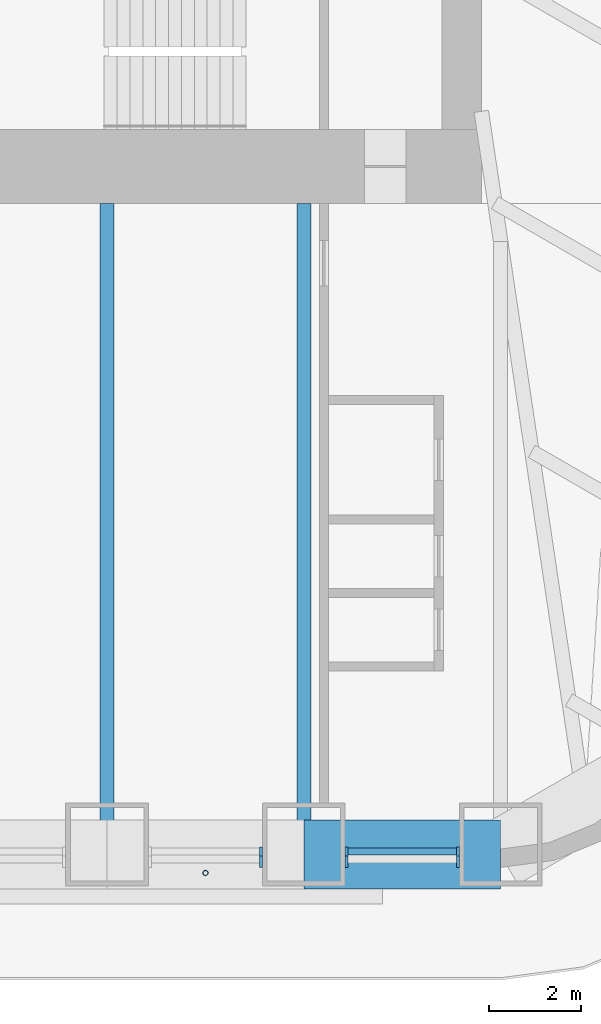
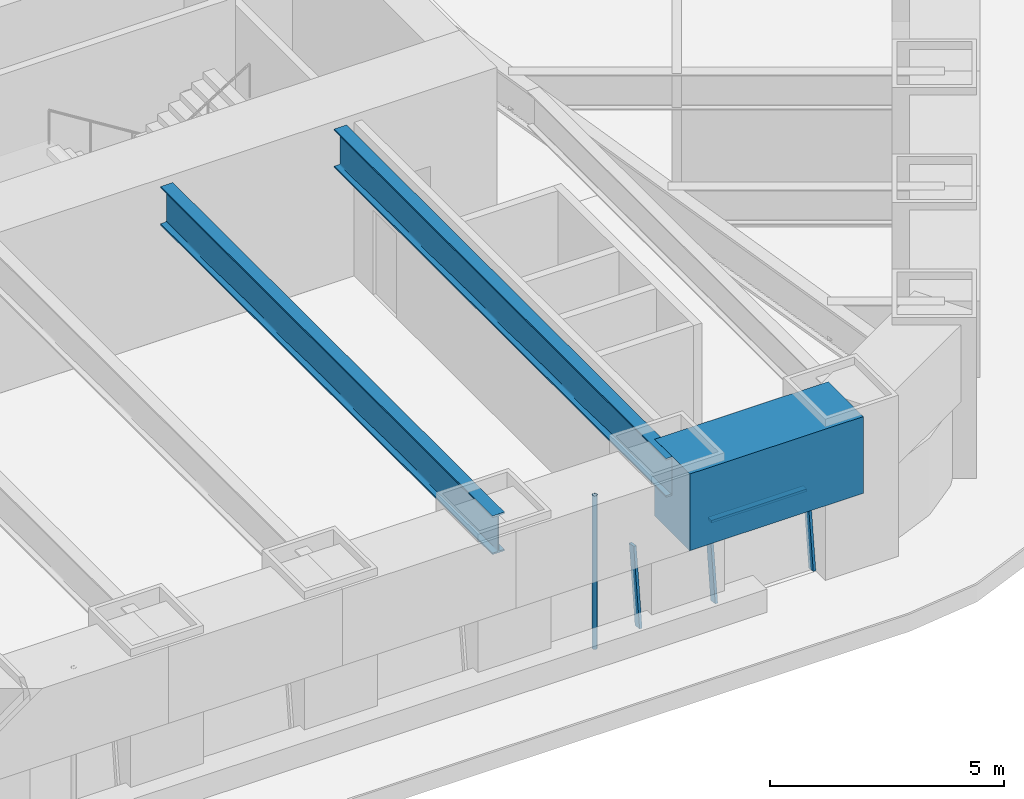
# One storey, part 4 of 18: 5 members, 3 beams, 2 elements without a shape of their own.
"""IFC4 building model written with IfcOpenShell, lengths in metres."""

from ifc_helpers import new_model, si_unit, direction, frame, origin, origin_2d, place, context, subcontext, project, spatial, rectangle, hollow_circle, i_section, extrude, material, material_profile, profile_set, type_object, element, aggregate, save


model = new_model("IFC4")

# Units and contexts
model_context = context("Model", 3, precision=1e-05, world=origin(), true_north=direction((0.0, 1.0)))
body_context = subcontext(model_context, "Body", "Model", "MODEL_VIEW")
ifc_project = project(units=[si_unit("LENGTHUNIT", "METRE"), si_unit("AREAUNIT", "SQUARE_METRE"), si_unit("VOLUMEUNIT", "CUBIC_METRE"), si_unit("PLANEANGLEUNIT", "RADIAN"), si_unit("MASSUNIT", "GRAM", prefix="KILO")], contexts=[model_context])

# Site, building, storey
site_placement = place(None, origin())
site = spatial("IfcSite", under=ifc_project, at=site_placement, CompositionType="ELEMENT")
building_placement = place(site_placement, origin())
building = spatial("IfcBuilding", under=site, at=building_placement, Name="Tarfa Lantern Tower", CompositionType="ELEMENT")
storey_placement = place(building_placement, frame((0.0, 0.0, 311.5)))
storey = spatial("IfcBuildingStorey", under=building, at=storey_placement, Name="L70", CompositionType="ELEMENT", Elevation=311.5)

# Curtain wall, member
ifc_material_1 = material(Name="Aluminium framed curtain wall", Category="aluminium")
curtain_wall_type = type_object("IfcCurtainWallType", Name="CW4 CANTED GLAZING EXECUTIVE ZONE 2000", PredefinedType="USERDEFINED", material=ifc_material_1)
curtain_wall_1_placement = place(storey_placement, origin())
curtain_wall_1 = element("IfcCurtainWall", 1, at=curtain_wall_1_placement, inside=storey, type_object=curtain_wall_type, Name="CW4 S L70", ObjectType="CURTAIN WALL", PredefinedType="USERDEFINED")
ifc_material_2 = material(Name="Aluminium mullion", Category="aluminium")
ifc_material_profile_1 = material_profile(ifc_material_2, rectangle(XDim=0.06494140625, YDim=0.199951171875, at=origin_2d()), Name="AL MULLION 65x200")
ifc_profile_set_1 = profile_set([ifc_material_profile_1], Name="Aluminium mullion")
member_type_1 = type_object("IfcMemberType", Name="CWM1 MULLION 65x200", PredefinedType="MULLION", material=ifc_profile_set_1)
member_1_placement = place(storey_placement, frame((7.631591796875, -26.64990234375, 0.0), z_axis=(0.0, 0.124034734589, 0.992277876714), x_axis=(-1.0, 0.0, 0.0)))
member_1 = element("IfcMember", 2, at=member_1_placement, type_object=member_type_1, Name="CW4 mullion 2", PredefinedType="MULLION", context=body_context, shape_type="SweptSolid", body=[
    extrude(rectangle(XDim=0.06494140625, YDim=0.199951171875, at=origin_2d()), origin(), (0.0, 0.0, 1.0), 2.015625),
])
aggregate(curtain_wall_1, [member_1])

# Curtain wall, members
curtain_wall_2_placement = place(storey_placement, origin())
curtain_wall_2 = element("IfcCurtainWall", 3, at=curtain_wall_2_placement, inside=storey, type_object=curtain_wall_type, Name="CW4 S L70", ObjectType="CURTAIN WALL", PredefinedType="USERDEFINED")
member_2_placement = place(storey_placement, frame((9.49658203125, -26.64990234375, 0.0), z_axis=(0.0, 0.124034734589, 0.992277876714), x_axis=(-1.0, 0.0, 0.0)))
member_2 = element("IfcMember", 4, at=member_2_placement, type_object=member_type_1, Name="CW4 mullion 1", PredefinedType="MULLION", context=body_context, shape_type="SweptSolid", body=[
    extrude(rectangle(XDim=0.06494140625, YDim=0.199951171875, at=origin_2d()), origin(), (0.0, 0.0, 1.0), 2.015625),
])
member_3_placement = place(storey_placement, frame((11.91357421875, -26.64990234375, 0.0), z_axis=(0.0, 0.124034734589, 0.992277876714), x_axis=(-1.0, 0.0, 0.0)))
member_3 = element("IfcMember", 5, at=member_3_placement, type_object=member_type_1, Name="CW4 mullion 2", PredefinedType="MULLION", context=body_context, shape_type="SweptSolid", body=[
    extrude(rectangle(XDim=0.06494140625, YDim=0.199951171875, at=origin_2d()), origin(), (0.0, 0.0, 1.0), 2.015625),
])
ifc_material_3 = material(Name="Aluminium transom", Category="aluminium")
ifc_material_profile_2 = material_profile(ifc_material_3, rectangle(XDim=0.14990234375, YDim=0.06494140625, at=origin_2d()), Name="AL TRANSOM 150x65")
ifc_profile_set_2 = profile_set([ifc_material_profile_2], Name="Aluminium transom")
member_type_2 = type_object("IfcMemberType", Name="CWT1 TRANSOM 150x65", PredefinedType="USERDEFINED", material=ifc_profile_set_2)
member_4_placement = place(storey_placement, frame((9.529052734375, -26.404052734375, 1.967529296875), z_axis=(1.0, 0.0, 0.0), x_axis=(0.0, 1.0, 0.0)))
member_4 = element("IfcMember", 6, at=member_4_placement, type_object=member_type_2, Name="CW4 transom 1.2", ObjectType="TRANSOM", PredefinedType="USERDEFINED", context=body_context, shape_type="SweptSolid", body=[
    extrude(rectangle(XDim=0.14990234375, YDim=0.06494140625, at=origin_2d()), origin(), (0.0, 0.0, 1.0), 2.35205078125),
])
aggregate(curtain_wall_2, [member_2, member_3, member_4])

# Beam
ifc_material_4 = material(Name="Concrete C80/95", Category="concrete")
ifc_material_profile_3 = material_profile(ifc_material_4, rectangle(XDim=1.5, YDim=2.0, at=origin_2d()), Name="RC 1500x2000")
ifc_profile_set_3 = profile_set([ifc_material_profile_3], Name="Concrete C80/95")
beam_type_1 = type_object("IfcBeamType", Name="RB3 RC 1500x2000", PredefinedType="BEAM", material=ifc_profile_set_3)
beam_placement = place(storey_placement, frame((8.56396484375, -26.469970703125, 3.0), z_axis=(1.0, 0.0, 0.0), x_axis=(0.0, 1.0, 0.0)))
element("IfcBeam", 7, at=beam_placement, inside=storey, type_object=beam_type_1, Name="Edge beam S5", PredefinedType="BEAM", context=body_context, shape_type="SweptSolid", body=[
    extrude(rectangle(XDim=1.5, YDim=2.0, at=origin_2d()), origin(), (0.0, 0.0, 1.0), 4.281982421875),
])

# Member
ifc_material_5 = material(Name="Steel S355", Category="steel")
ifc_material_profile_4 = material_profile(ifc_material_5, hollow_circle(Radius=0.05712890625, WallThickness=0.00634765625, at=origin_2d()), Name="CHS114.3x6.3")
ifc_profile_set_4 = profile_set([ifc_material_profile_4], Name="Steel S355")
member_type_3 = type_object("IfcMemberType", Name="TR1 GREEN WALL TRELLIS CHS114.3x6.3", PredefinedType="USERDEFINED", material=ifc_profile_set_4)
member_5_placement = place(storey_placement, frame((6.423095703125, -26.8701171875, 0.0), z_axis=(0.0, 0.0, 1.0), x_axis=(1.0, 0.0, 0.0)))
element("IfcMember", 8, at=member_5_placement, inside=storey, type_object=member_type_3, Name="Trellis post S 2", ObjectType="TRELLIS", PredefinedType="USERDEFINED", context=body_context, shape_type="SweptSolid", body=[
    extrude(hollow_circle(Radius=0.05712890625, WallThickness=0.00634765625, at=origin_2d()), origin(), (0.0, 0.0, 1.0), 4.0),
])

# Beams
ifc_material_6 = material(Name="Steel S460M", Category="steel")
ifc_material_profile_5 = material_profile(ifc_material_6, i_section(OverallWidth=0.302001953125, OverallDepth=1.008056640625, WebThickness=0.02099609375, FlangeThickness=0.0400390625, FilletRadius=0.030029296875, at=origin_2d()), Name="UB1016x305x349")
ifc_profile_set_5 = profile_set([ifc_material_profile_5], Name="Steel S460M")
beam_type_2 = type_object("IfcBeamType", Name="UB1016x305x349", PredefinedType="BEAM", material=ifc_profile_set_5)
for number, where, z_axis, x_axis, name in (
    (9, (4.281982421875, -26.469970703125, 3.495849609375), (0.0, 1.0, 0.0), (-1.0, 0.0, 0.0), "Floor beam S4"),
    (10, (8.56396484375, -26.469970703125, 3.495849609375), (0.0, 1.0, 0.0), (-1.0, 0.0, 0.0), "Floor beam S5"),
):
    element("IfcBeam", number, at=place(storey_placement, frame(where, z_axis=z_axis, x_axis=x_axis)), inside=storey, type_object=beam_type_2, Name=name, PredefinedType="BEAM", context=body_context, shape_type="SweptSolid", body=[
        extrude(i_section(OverallWidth=0.302001953125, OverallDepth=1.008056640625, WebThickness=0.02099609375, FlangeThickness=0.0400390625, FilletRadius=0.030029296875, at=origin_2d()), origin(), (0.0, 0.0, 1.0), 14.169921875),
    ])

save(model, "model.ifc")
